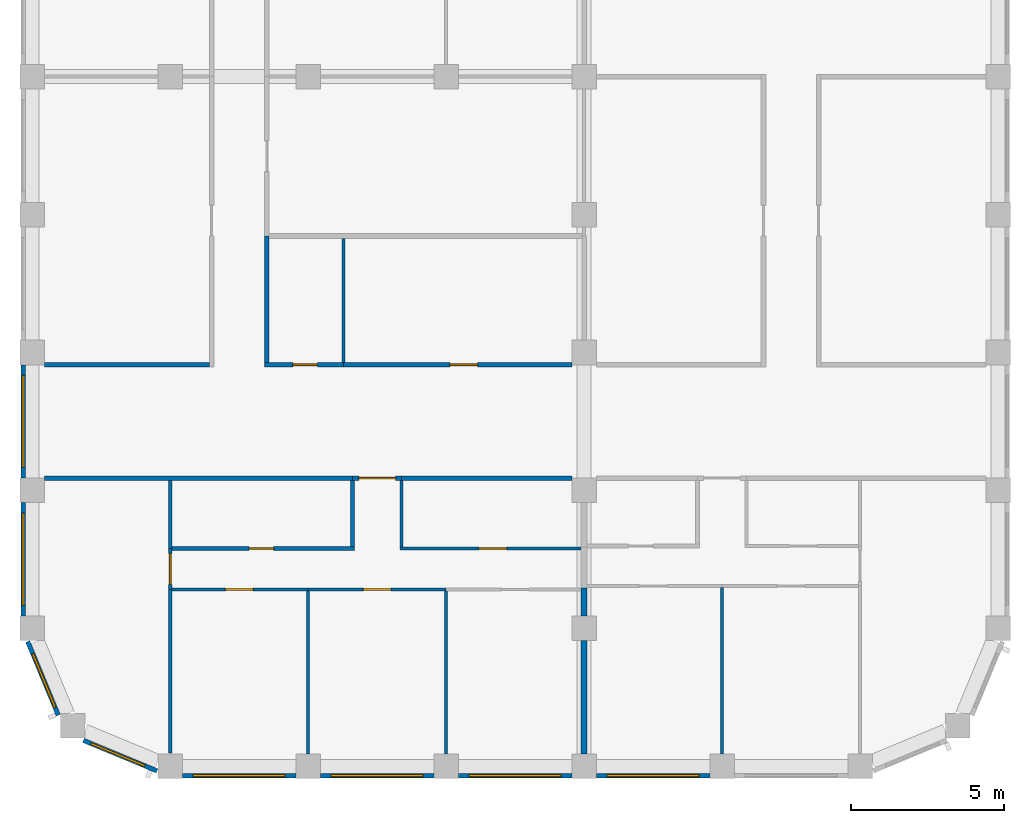
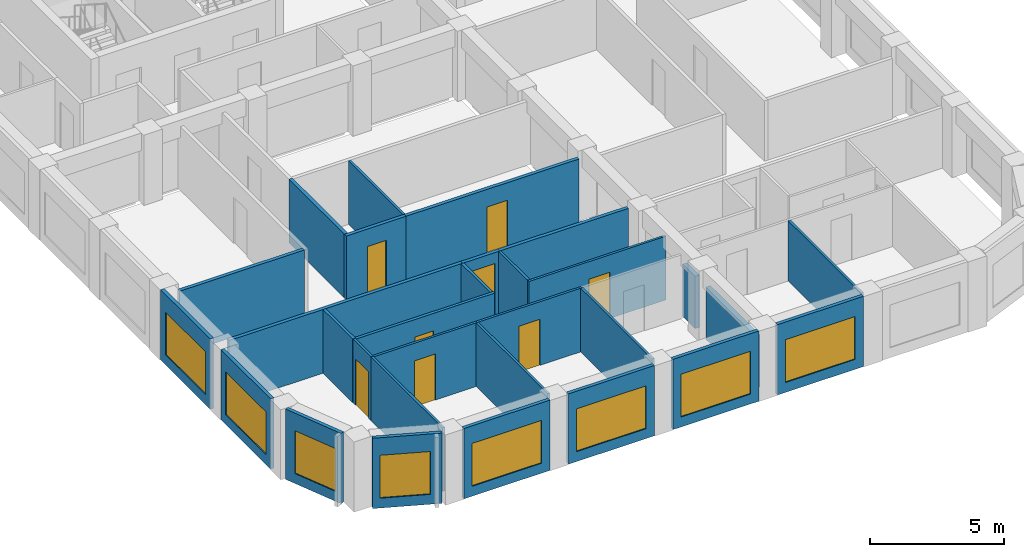
# One storey, part 2 of 9: 30 walls, 8 doors, 8 windows, 16 openings.
"""IFC4 building model written with IfcOpenShell, lengths in metres."""

from ifc_helpers import new_model, si_unit, direction, frame, frame_2d, origin, place, context, subcontext, project, spatial, rectangle, extrude, material, layer, layer_set, type_object, element, fill, save


model = new_model("IFC4")

# Units and contexts
model_context = context("Model", 3, precision=1e-05, world=origin(), true_north=direction((0.0, 1.0)))
body_context = subcontext(model_context, "Body", "Model", "MODEL_VIEW")
ifc_project = project(units=[si_unit("LENGTHUNIT", "METRE"), si_unit("AREAUNIT", "SQUARE_METRE"), si_unit("VOLUMEUNIT", "CUBIC_METRE"), si_unit("PLANEANGLEUNIT", "RADIAN"), si_unit("MASSUNIT", "GRAM", prefix="KILO")], contexts=[model_context])

# Site, building, storey
site_placement = place(None, origin())
site = spatial("IfcSite", under=ifc_project, at=site_placement, CompositionType="ELEMENT")
building_placement = place(site_placement, origin())
building = spatial("IfcBuilding", under=site, at=building_placement, Name="Girih Gate Residences", CompositionType="ELEMENT")
storey_placement = place(building_placement, frame((0.0, 0.0, 226.094970703125)))
storey = spatial("IfcBuildingStorey", under=building, at=storey_placement, Name="L63", CompositionType="ELEMENT", Elevation=226.094970703125)

# Wall, opening, door
ifc_material_1 = material(Name="Gypsum board on steel studs", Category="steel")
ifc_layer_1 = layer(ifc_material_1, 0.14990234375)
ifc_layer_set_1 = layer_set([ifc_layer_1], Name="Compartment wall 150 mm")
wall_type_1 = type_object("IfcWallType", Name="Compartment wall 150 mm", PredefinedType="PARTITIONING", material=ifc_layer_set_1)
wall_1_placement = place(storey_placement, frame((12.050048828125, 9.39990234375, 0.0), z_axis=(0.0, 0.0, 1.0), x_axis=(-1.0, 0.0, 0.0)))
wall_1 = element("IfcWall", 1, at=wall_1_placement, inside=storey, type_object=wall_type_1, Name="L63 partition", PredefinedType="PARTITIONING", context=body_context, shape_type="SweptSolid", body=[
    extrude(rectangle(XDim=1.60009765625, YDim=0.14990234375, at=frame_2d((0.800048828125, 0.0))), origin(), (0.0, 0.0, 1.0), 2.900146484375),
])
opening_1_placement = place(wall_1_placement, frame((0.199951171875, 0.0, 0.0)))
opening_1 = element("IfcOpeningElement", 2, at=opening_1_placement, cuts=wall_1, Name="Opening A63-007", PredefinedType="OPENING", context=body_context, shape_type="SweptSolid", body=[
    extrude(rectangle(XDim=1.199951171875, YDim=2.39990234375, at=frame_2d((0.60009765625, 1.199951171875))), frame((0.0, 0.0849609375, 0.0), z_axis=(0.0, -1.0, 0.0), x_axis=(1.0, 0.0, 0.0)), (0.0, 0.0, 1.0), 0.169921875),
])
ifc_material_2 = material(Name="Timber, fire-rated core", Category="wood")
door_type_1 = type_object("IfcDoorType", Name="Villa entrance door 1200x2400 FD30S", OperationType="NOTDEFINED", PredefinedType="DOOR", material=ifc_material_2)
door_1_placement = place(opening_1_placement, origin())
door_1 = element("IfcDoor", 3, at=door_1_placement, inside=storey, type_object=door_type_1, Name="Door A63-007", OperationType="SINGLE_SWING_LEFT", OverallHeight=2.39990234375, OverallWidth=1.199951171875, PredefinedType="DOOR", context=body_context, shape_type="SweptSolid", body=[
    extrude(rectangle(XDim=1.199951171875, YDim=2.39990234375, at=frame_2d((0.60009765625, 1.199951171875))), frame((0.0, 0.02490234375, 0.0), z_axis=(0.0, -1.0, 0.0), x_axis=(1.0, 0.0, 0.0)), (0.0, 0.0, 1.0), 0.050048828125),
])
fill(opening_1, door_1)

# Walls
wall_2_placement = place(storey_placement, frame((12.050048828125, 9.39990234375, 0.0), z_axis=(0.0, 0.0, 1.0), x_axis=(1.0, 0.0, 0.0)))
element("IfcWall", 4, at=wall_2_placement, inside=storey, type_object=wall_type_1, Name="L63 partition", PredefinedType="PARTITIONING", context=body_context, shape_type="SweptSolid", body=[
    extrude(rectangle(XDim=5.550048828125, YDim=0.14990234375, at=frame_2d((2.77490234375, 0.0))), origin(), (0.0, 0.0, 1.0), 2.900146484375),
])
wall_3_placement = place(storey_placement, frame((0.39990234375, 9.39990234375, 0.0), z_axis=(0.0, 0.0, 1.0), x_axis=(1.0, 0.0, 0.0)))
element("IfcWall", 5, at=wall_3_placement, inside=storey, type_object=wall_type_1, Name="L63 partition", PredefinedType="PARTITIONING", context=body_context, shape_type="SweptSolid", body=[
    extrude(rectangle(XDim=10.050048828125, YDim=0.14990234375, at=frame_2d((5.02490234375, 0.0))), origin(), (0.0, 0.0, 1.0), 2.900146484375),
])

# Wall, opening, door
wall_4_placement = place(storey_placement, frame((10.14990234375, 13.10009765625, 0.0), z_axis=(0.0, 0.0, 1.0), x_axis=(1.0, 0.0, 0.0)))
wall_4 = element("IfcWall", 6, at=wall_4_placement, inside=storey, type_object=wall_type_1, Name="L63 partition", PredefinedType="PARTITIONING", context=body_context, shape_type="SweptSolid", body=[
    extrude(rectangle(XDim=7.4501953125, YDim=0.14990234375, at=frame_2d((3.72509765625, 0.0))), origin(), (0.0, 0.0, 1.0), 2.900146484375),
])
opening_2_placement = place(wall_4_placement, frame((3.47509765625, 0.0, 0.0)))
opening_2 = element("IfcOpeningElement", 7, at=opening_2_placement, cuts=wall_4, Name="Opening A63-029", PredefinedType="OPENING", context=body_context, shape_type="SweptSolid", body=[
    extrude(rectangle(XDim=0.89990234375, YDim=2.10009765625, at=frame_2d((0.449951171875, 1.050048828125))), frame((0.0, 0.0849609375, 0.0), z_axis=(0.0, -1.0, 0.0), x_axis=(1.0, 0.0, 0.0)), (0.0, 0.0, 1.0), 0.169921875),
])
ifc_material_3 = material(Name="Timber", Category="wood")
door_type_2 = type_object("IfcDoorType", Name="Service room door 900x2100", OperationType="NOTDEFINED", PredefinedType="DOOR", material=ifc_material_3)
door_2_placement = place(opening_2_placement, origin())
door_2 = element("IfcDoor", 8, at=door_2_placement, inside=storey, type_object=door_type_2, Name="Door A63-029", OperationType="SINGLE_SWING_RIGHT", OverallHeight=2.10009765625, OverallWidth=0.89990234375, PredefinedType="DOOR", context=body_context, shape_type="SweptSolid", body=[
    extrude(rectangle(XDim=0.89990234375, YDim=2.10009765625, at=frame_2d((0.449951171875, 1.050048828125))), frame((0.0, 0.02490234375, 0.0), z_axis=(0.0, -1.0, 0.0), x_axis=(1.0, 0.0, 0.0)), (0.0, 0.0, 1.0), 0.050048828125),
])
fill(opening_2, door_2)

wall_5_placement = place(storey_placement, frame((7.574951171875, 13.10009765625, 0.0), z_axis=(0.0, 0.0, 1.0), x_axis=(1.0, 0.0, 0.0)))
wall_5 = element("IfcWall", 9, at=wall_5_placement, inside=storey, type_object=wall_type_1, Name="L63 partition", PredefinedType="PARTITIONING", context=body_context, shape_type="SweptSolid", body=[
    extrude(rectangle(XDim=2.574951171875, YDim=0.14990234375, at=frame_2d((1.28759765625, 0.0))), origin(), (0.0, 0.0, 1.0), 2.900146484375),
])
opening_3_placement = place(wall_5_placement, frame((0.925048828125, 0.0, 0.0)))
opening_3 = element("IfcOpeningElement", 10, at=opening_3_placement, cuts=wall_5, Name="Opening A63-030", PredefinedType="OPENING", context=body_context, shape_type="SweptSolid", body=[
    extrude(rectangle(XDim=0.800048828125, YDim=2.10009765625, at=frame_2d((0.39990234375, 1.050048828125))), frame((0.0, 0.0849609375, 0.0), z_axis=(0.0, -1.0, 0.0), x_axis=(1.0, 0.0, 0.0)), (0.0, 0.0, 1.0), 0.169921875),
])
door_type_3 = type_object("IfcDoorType", Name="Bathroom door 800x2100", OperationType="NOTDEFINED", PredefinedType="DOOR", material=ifc_material_3)
door_3_placement = place(opening_3_placement, origin())
door_3 = element("IfcDoor", 11, at=door_3_placement, inside=storey, type_object=door_type_3, Name="Door A63-030", OperationType="SINGLE_SWING_RIGHT", OverallHeight=2.10009765625, OverallWidth=0.800048828125, PredefinedType="DOOR", context=body_context, shape_type="SweptSolid", body=[
    extrude(rectangle(XDim=0.800048828125, YDim=2.10009765625, at=frame_2d((0.39990234375, 1.050048828125))), frame((0.0, 0.02490234375, 0.0), z_axis=(0.0, -1.0, 0.0), x_axis=(1.0, 0.0, 0.0)), (0.0, 0.0, 1.0), 0.050048828125),
])
fill(opening_3, door_3)

# Walls
wall_6_placement = place(storey_placement, frame((0.39990234375, 13.10009765625, 0.0), z_axis=(0.0, 0.0, 1.0), x_axis=(1.0, 0.0, 0.0)))
element("IfcWall", 12, at=wall_6_placement, inside=storey, type_object=wall_type_1, Name="L63 partition", PredefinedType="PARTITIONING", context=body_context, shape_type="SweptSolid", body=[
    extrude(rectangle(XDim=5.375, YDim=0.14990234375, at=frame_2d((2.6875, 0.0))), origin(), (0.0, 0.0, 1.0), 2.900146484375),
])
wall_7_placement = place(storey_placement, frame((7.64990234375, 13.175048828125, 0.0), z_axis=(0.0, 0.0, 1.0), x_axis=(0.0, 1.0, 0.0)))
element("IfcWall", 13, at=wall_7_placement, inside=storey, type_object=wall_type_1, Name="L63 partition", PredefinedType="PARTITIONING", context=body_context, shape_type="SweptSolid", body=[
    extrude(rectangle(XDim=4.125, YDim=0.14990234375, at=frame_2d((2.0625, 0.0))), origin(), (0.0, 0.0, 1.0), 2.900146484375),
])
ifc_layer_2 = layer(ifc_material_1, 0.10009765625)
ifc_layer_set_2 = layer_set([ifc_layer_2], Name="Partition 100 mm")
wall_type_2 = type_object("IfcWallType", Name="Partition 100 mm", PredefinedType="PARTITIONING", material=ifc_layer_set_2)
wall_8_placement = place(storey_placement, frame((9.0, 0.39990234375, 0.0), z_axis=(0.0, 0.0, 1.0), x_axis=(0.0, 1.0, 0.0)))
element("IfcWall", 14, at=wall_8_placement, inside=storey, type_object=wall_type_2, Name="L63 partition", PredefinedType="PARTITIONING", context=body_context, shape_type="SweptSolid", body=[
    extrude(rectangle(XDim=5.320068359375, YDim=0.10009765625, at=frame_2d((2.66015625, 0.0))), origin(), (0.0, 0.0, 1.0), 2.900146484375),
])

# Wall, opening, door
wall_9_placement = place(storey_placement, frame((9.0, 5.77001953125, 0.0), z_axis=(0.0, 0.0, 1.0), x_axis=(-1.0, 0.0, 0.0)))
wall_9 = element("IfcWall", 15, at=wall_9_placement, inside=storey, type_object=wall_type_2, Name="L63 partition", PredefinedType="PARTITIONING", context=body_context, shape_type="SweptSolid", body=[
    extrude(rectangle(XDim=4.449951171875, YDim=0.10009765625, at=frame_2d((2.22509765625, 0.0))), origin(), (0.0, 0.0, 1.0), 2.900146484375),
])
opening_4_placement = place(wall_9_placement, frame((1.800048828125, 0.0, 0.0)))
opening_4 = element("IfcOpeningElement", 16, at=opening_4_placement, cuts=wall_9, Name="Opening A63-002", PredefinedType="OPENING", context=body_context, shape_type="SweptSolid", body=[
    extrude(rectangle(XDim=0.89990234375, YDim=2.10009765625, at=frame_2d((0.449951171875, 1.050048828125))), frame((0.0, 0.06005859375, 0.0), z_axis=(0.0, -1.0, 0.0), x_axis=(1.0, 0.0, 0.0)), (0.0, 0.0, 1.0), 0.1201171875),
])
door_type_4 = type_object("IfcDoorType", Name="Bedroom door 900x2100", OperationType="NOTDEFINED", PredefinedType="DOOR", material=ifc_material_3)
door_4_placement = place(opening_4_placement, origin())
door_4 = element("IfcDoor", 17, at=door_4_placement, inside=storey, type_object=door_type_4, Name="Door A63-002", OperationType="SINGLE_SWING_RIGHT", OverallHeight=2.10009765625, OverallWidth=0.89990234375, PredefinedType="DOOR", context=body_context, shape_type="SweptSolid", body=[
    extrude(rectangle(XDim=0.89990234375, YDim=2.10009765625, at=frame_2d((0.449951171875, 1.050048828125))), frame((0.0, 0.02490234375, 0.0), z_axis=(0.0, -1.0, 0.0), x_axis=(1.0, 0.0, 0.0)), (0.0, 0.0, 1.0), 0.050048828125),
])
fill(opening_4, door_4)

# Walls
wall_10_placement = place(storey_placement, frame((4.5, 0.432861328125, 0.0), z_axis=(0.0, 0.0, 1.0), x_axis=(0.0, 1.0, 0.0)))
element("IfcWall", 18, at=wall_10_placement, inside=storey, type_object=wall_type_2, Name="L63 partition", PredefinedType="PARTITIONING", context=body_context, shape_type="SweptSolid", body=[
    extrude(rectangle(XDim=5.337158203125, YDim=0.10009765625, at=frame_2d((2.66845703125, 0.0))), origin(), (0.0, 0.0, 1.0), 2.900146484375),
])
wall_11_placement = place(storey_placement, frame((13.5, 0.39990234375, 0.0), z_axis=(0.0, 0.0, 1.0), x_axis=(0.0, 1.0, 0.0)))
element("IfcWall", 19, at=wall_11_placement, inside=storey, type_object=wall_type_2, Name="L63 partition", PredefinedType="PARTITIONING", context=body_context, shape_type="SweptSolid", body=[
    extrude(rectangle(XDim=5.320068359375, YDim=0.10009765625, at=frame_2d((2.66015625, 0.0))), origin(), (0.0, 0.0, 1.0), 2.900146484375),
])

# Wall, opening, door
wall_12_placement = place(storey_placement, frame((13.5, 5.77001953125, 0.0), z_axis=(0.0, 0.0, 1.0), x_axis=(-1.0, 0.0, 0.0)))
wall_12 = element("IfcWall", 20, at=wall_12_placement, inside=storey, type_object=wall_type_2, Name="L63 partition", PredefinedType="PARTITIONING", context=body_context, shape_type="SweptSolid", body=[
    extrude(rectangle(XDim=4.5, YDim=0.10009765625, at=frame_2d((2.25, 0.0))), origin(), (0.0, 0.0, 1.0), 2.900146484375),
])
opening_5_placement = place(wall_12_placement, frame((1.800048828125, 0.0, 0.0)))
opening_5 = element("IfcOpeningElement", 21, at=opening_5_placement, cuts=wall_12, Name="Opening A63-003", PredefinedType="OPENING", context=body_context, shape_type="SweptSolid", body=[
    extrude(rectangle(XDim=0.89990234375, YDim=2.10009765625, at=frame_2d((0.449951171875, 1.050048828125))), frame((0.0, 0.06005859375, 0.0), z_axis=(0.0, -1.0, 0.0), x_axis=(1.0, 0.0, 0.0)), (0.0, 0.0, 1.0), 0.1201171875),
])
door_5_placement = place(opening_5_placement, origin())
door_5 = element("IfcDoor", 22, at=door_5_placement, inside=storey, type_object=door_type_4, Name="Door A63-003", OperationType="SINGLE_SWING_LEFT", OverallHeight=2.10009765625, OverallWidth=0.89990234375, PredefinedType="DOOR", context=body_context, shape_type="SweptSolid", body=[
    extrude(rectangle(XDim=0.89990234375, YDim=2.10009765625, at=frame_2d((0.449951171875, 1.050048828125))), frame((0.0, 0.02490234375, 0.0), z_axis=(0.0, -1.0, 0.0), x_axis=(1.0, 0.0, 0.0)), (0.0, 0.0, 1.0), 0.050048828125),
])
fill(opening_5, door_5)

# Wall
wall_13_placement = place(storey_placement, frame((12.050048828125, 7.159912109375, 0.0), z_axis=(0.0, 0.0, 1.0), x_axis=(0.0, 1.0, 0.0)))
element("IfcWall", 23, at=wall_13_placement, inside=storey, type_object=wall_type_2, Name="L63 partition", PredefinedType="PARTITIONING", context=body_context, shape_type="SweptSolid", body=[
    extrude(rectangle(XDim=2.1650390625, YDim=0.10009765625, at=frame_2d((1.08251953125, 0.0))), origin(), (0.0, 0.0, 1.0), 2.900146484375),
])

# Wall, opening, door
wall_14_placement = place(storey_placement, frame((12.0, 7.110107421875, 0.0), z_axis=(0.0, 0.0, 1.0), x_axis=(1.0, 0.0, 0.0)))
wall_14 = element("IfcWall", 24, at=wall_14_placement, inside=storey, type_object=wall_type_2, Name="L63 partition", PredefinedType="PARTITIONING", context=body_context, shape_type="SweptSolid", body=[
    extrude(rectangle(XDim=5.89990234375, YDim=0.10009765625, at=frame_2d((2.949951171875, 0.0))), origin(), (0.0, 0.0, 1.0), 2.900146484375),
])
opening_6_placement = place(wall_14_placement, frame((2.574951171875, 0.0, 0.0)))
opening_6 = element("IfcOpeningElement", 25, at=opening_6_placement, cuts=wall_14, Name="Opening A63-005", PredefinedType="OPENING", context=body_context, shape_type="SweptSolid", body=[
    extrude(rectangle(XDim=0.89990234375, YDim=2.10009765625, at=frame_2d((0.449951171875, 1.050048828125))), frame((0.0, 0.06005859375, 0.0), z_axis=(0.0, -1.0, 0.0), x_axis=(1.0, 0.0, 0.0)), (0.0, 0.0, 1.0), 0.1201171875),
])
door_type_5 = type_object("IfcDoorType", Name="Kitchen door 900x2100", OperationType="NOTDEFINED", PredefinedType="DOOR", material=ifc_material_3)
door_6_placement = place(opening_6_placement, origin())
door_6 = element("IfcDoor", 26, at=door_6_placement, inside=storey, type_object=door_type_5, Name="Door A63-005", OperationType="SINGLE_SWING_RIGHT", OverallHeight=2.10009765625, OverallWidth=0.89990234375, PredefinedType="DOOR", context=body_context, shape_type="SweptSolid", body=[
    extrude(rectangle(XDim=0.89990234375, YDim=2.10009765625, at=frame_2d((0.449951171875, 1.050048828125))), frame((0.0, 0.02490234375, 0.0), z_axis=(0.0, -1.0, 0.0), x_axis=(1.0, 0.0, 0.0)), (0.0, 0.0, 1.0), 0.050048828125),
])
fill(opening_6, door_6)

wall_15_placement = place(storey_placement, frame((4.5, 5.77001953125, 0.0), z_axis=(0.0, 0.0, 1.0), x_axis=(0.0, 1.0, 0.0)))
wall_15 = element("IfcWall", 27, at=wall_15_placement, inside=storey, type_object=wall_type_2, Name="L63 partition", PredefinedType="PARTITIONING", context=body_context, shape_type="SweptSolid", body=[
    extrude(rectangle(XDim=1.340087890625, YDim=0.10009765625, at=frame_2d((0.669921875, 0.0))), origin(), (0.0, 0.0, 1.0), 2.900146484375),
])
opening_7_placement = place(wall_15_placement, frame((0.169921875, 0.0, 0.0)))
opening_7 = element("IfcOpeningElement", 28, at=opening_7_placement, cuts=wall_15, Name="Opening A63-006", PredefinedType="OPENING", context=body_context, shape_type="SweptSolid", body=[
    extrude(rectangle(XDim=1.0, YDim=2.10009765625, at=frame_2d((0.5, 1.050048828125))), frame((0.0, 0.06005859375, 0.0), z_axis=(0.0, -1.0, 0.0), x_axis=(1.0, 0.0, 0.0)), (0.0, 0.0, 1.0), 0.1201171875),
])
door_type_6 = type_object("IfcDoorType", Name="Living room door 1000x2100", OperationType="NOTDEFINED", PredefinedType="DOOR", material=ifc_material_3)
door_7_placement = place(opening_7_placement, origin())
door_7 = element("IfcDoor", 29, at=door_7_placement, inside=storey, type_object=door_type_6, Name="Door A63-006", OperationType="SINGLE_SWING_RIGHT", OverallHeight=2.10009765625, OverallWidth=1.0, PredefinedType="DOOR", context=body_context, shape_type="SweptSolid", body=[
    extrude(rectangle(XDim=1.0, YDim=2.10009765625, at=frame_2d((0.5, 1.050048828125))), frame((0.0, 0.02490234375, 0.0), z_axis=(0.0, -1.0, 0.0), x_axis=(1.0, 0.0, 0.0)), (0.0, 0.0, 1.0), 0.050048828125),
])
fill(opening_7, door_7)

# Walls
wall_16_placement = place(storey_placement, frame((22.5, 0.39990234375, 0.0), z_axis=(0.0, 0.0, 1.0), x_axis=(0.0, 1.0, 0.0)))
element("IfcWall", 30, at=wall_16_placement, inside=storey, type_object=wall_type_2, Name="L63 partition", PredefinedType="PARTITIONING", context=body_context, shape_type="SweptSolid", body=[
    extrude(rectangle(XDim=5.440185546875, YDim=0.10009765625, at=frame_2d((2.72021484375, 0.0))), origin(), (0.0, 0.0, 1.0), 2.75),
])
wall_17_placement = place(storey_placement, frame((10.14990234375, 13.175048828125, 0.0), z_axis=(0.0, 0.0, 1.0), x_axis=(0.0, 1.0, 0.0)))
element("IfcWall", 31, at=wall_17_placement, inside=storey, type_object=wall_type_2, Name="L63 partition", PredefinedType="PARTITIONING", context=body_context, shape_type="SweptSolid", body=[
    extrude(rectangle(XDim=4.050048828125, YDim=0.10009765625, at=frame_2d((2.02490234375, 0.0))), origin(), (0.0, 0.0, 1.0), 2.900146484375),
])
ifc_layer_3 = layer(ifc_material_1, 0.199951171875)
ifc_layer_set_3 = layer_set([ifc_layer_3], Name="Party wall 200 mm")
wall_type_3 = type_object("IfcWallType", Name="Party wall 200 mm", PredefinedType="PARTITIONING", material=ifc_layer_set_3)
wall_18_placement = place(storey_placement, frame((18.0, 4.89990234375, 0.0), z_axis=(0.0, 0.0, 1.0), x_axis=(0.0, 1.0, 0.0)))
element("IfcWall", 32, at=wall_18_placement, inside=storey, type_object=wall_type_3, Name="L63 partition", PredefinedType="PARTITIONING", context=body_context, shape_type="SweptSolid", body=[
    extrude(rectangle(XDim=0.920166015625, YDim=0.199951171875, at=frame_2d((0.4599609375, 0.0))), origin(), (0.0, 0.0, 1.0), 2.380126953125),
])
wall_19_placement = place(storey_placement, frame((18.0, 0.39990234375, 0.0), z_axis=(0.0, 0.0, 1.0), x_axis=(0.0, 1.0, 0.0)))
element("IfcWall", 33, at=wall_19_placement, inside=storey, type_object=wall_type_3, Name="L63 partition", PredefinedType="PARTITIONING", context=body_context, shape_type="SweptSolid", body=[
    extrude(rectangle(XDim=3.7001953125, YDim=0.199951171875, at=frame_2d((1.85009765625, 0.0))), origin(), (0.0, 0.0, 1.0), 2.380126953125),
])

# Wall, opening, window
ifc_material_4 = material(Name="Precast concrete C50/60", Category="concrete")
ifc_layer_4 = layer(ifc_material_4, 0.050048828125, Name="Outer leaf")
ifc_material_5 = material(Name="Rigid PIR insulation")
ifc_layer_5 = layer(ifc_material_5, 0.06005859375, Name="Insulation")
ifc_material_6 = material(Name="Precast concrete C40/50", Category="concrete")
ifc_layer_6 = layer(ifc_material_6, 0.0400390625, Name="Inner leaf")
ifc_layer_set_4 = layer_set([ifc_layer_4, ifc_layer_5, ifc_layer_6], Name="Precast concrete C50/60 external wall 150")
wall_type_4 = type_object("IfcWallType", Name="Precast concrete C50/60 external wall 150", PredefinedType="SOLIDWALL", material=ifc_layer_set_4)
wall_20_placement = place(storey_placement, frame((-0.300048828125, 9.39990234375, 0.0), z_axis=(0.0, 0.0, 1.0), x_axis=(0.0, 1.0, 0.0)))
wall_20 = element("IfcWall", 34, at=wall_20_placement, inside=storey, type_object=wall_type_4, Name="External wall W0000_0450.7", PredefinedType="SOLIDWALL", context=body_context, shape_type="SweptSolid", body=[
    extrude(rectangle(XDim=3.7001953125, YDim=0.14990234375, at=frame_2d((1.85009765625, 0.0))), origin(), (0.0, 0.0, 1.0), 3.199951171875),
])
opening_8_placement = place(wall_20_placement, frame((0.35009765625, 0.0, 0.449951171875)))
opening_8 = element("IfcOpeningElement", 35, at=opening_8_placement, cuts=wall_20, Name="Opening W-1D", PredefinedType="OPENING", context=body_context, shape_type="SweptSolid", body=[
    extrude(rectangle(XDim=3.0, YDim=1.949951171875, at=frame_2d((1.5, 0.97509765625))), frame((0.0, 0.0849609375, 0.0), z_axis=(0.0, -1.0, 0.0), x_axis=(1.0, 0.0, 0.0)), (0.0, 0.0, 1.0), 0.169921875),
])
ifc_material_7 = material(Name="Double glazing in aluminium frame", Category="aluminium")
window_type_1 = type_object("IfcWindowType", Name="Window W-1D 3000x1950", PartitioningType="SINGLE_PANEL", PredefinedType="WINDOW", material=ifc_material_7)
window_1_placement = place(opening_8_placement, origin())
window_1 = element("IfcWindow", 36, at=window_1_placement, inside=storey, type_object=window_type_1, Name="Window W-1D W0000_0450.7", OverallHeight=1.949951171875, OverallWidth=3.0, PartitioningType="SINGLE_PANEL", PredefinedType="WINDOW", context=body_context, shape_type="SweptSolid", body=[
    extrude(rectangle(XDim=3.0, YDim=1.949951171875, at=frame_2d((1.5, 0.97509765625))), frame((0.0, 0.030029296875, 0.0), z_axis=(0.0, -1.0, 0.0), x_axis=(1.0, 0.0, 0.0)), (0.0, 0.0, 1.0), 0.06005859375),
])
fill(opening_8, window_1)

wall_21_placement = place(storey_placement, frame((-0.300048828125, 4.89990234375, 0.0), z_axis=(0.0, 0.0, 1.0), x_axis=(0.0, 1.0, 0.0)))
wall_21 = element("IfcWall", 37, at=wall_21_placement, inside=storey, type_object=wall_type_4, Name="External wall W0000_0450.8", PredefinedType="SOLIDWALL", context=body_context, shape_type="SweptSolid", body=[
    extrude(rectangle(XDim=3.7001953125, YDim=0.14990234375, at=frame_2d((1.85009765625, 0.0))), origin(), (0.0, 0.0, 1.0), 3.199951171875),
])
opening_9_placement = place(wall_21_placement, frame((0.35009765625, 0.0, 0.449951171875)))
opening_9 = element("IfcOpeningElement", 38, at=opening_9_placement, cuts=wall_21, Name="Opening W-1D", PredefinedType="OPENING", context=body_context, shape_type="SweptSolid", body=[
    extrude(rectangle(XDim=3.0, YDim=1.949951171875, at=frame_2d((1.5, 0.97509765625))), frame((0.0, 0.0849609375, 0.0), z_axis=(0.0, -1.0, 0.0), x_axis=(1.0, 0.0, 0.0)), (0.0, 0.0, 1.0), 0.169921875),
])
window_2_placement = place(opening_9_placement, origin())
window_2 = element("IfcWindow", 39, at=window_2_placement, inside=storey, type_object=window_type_1, Name="Window W-1D W0000_0450.8", OverallHeight=1.949951171875, OverallWidth=3.0, PartitioningType="SINGLE_PANEL", PredefinedType="WINDOW", context=body_context, shape_type="SweptSolid", body=[
    extrude(rectangle(XDim=3.0, YDim=1.949951171875, at=frame_2d((1.5, 0.97509765625))), frame((0.0, 0.030029296875, 0.0), z_axis=(0.0, -1.0, 0.0), x_axis=(1.0, 0.0, 0.0)), (0.0, 0.0, 1.0), 0.06005859375),
])
fill(opening_9, window_2)

wall_22_placement = place(storey_placement, frame((0.8486328125, 1.6669921875, 0.0), z_axis=(0.0, 0.0, 1.0), x_axis=(-0.382669406082, 0.923885342263, 0.0)))
wall_22 = element("IfcWall", 40, at=wall_22_placement, inside=storey, type_object=wall_type_4, Name="External wall SW0000_0045.0", PredefinedType="SOLIDWALL", context=body_context, shape_type="SweptSolid", body=[
    extrude(rectangle(XDim=2.602294921875, YDim=0.14990234375, at=frame_2d((1.30126953125, 0.0))), origin(), (0.0, 0.0, 1.0), 3.199951171875),
])
opening_10_placement = place(wall_22_placement, frame((0.27001953125, 0.0, 0.449951171875)))
opening_10 = element("IfcOpeningElement", 41, at=opening_10_placement, cuts=wall_22, Name="Opening W-2G", PredefinedType="OPENING", context=body_context, shape_type="SweptSolid", body=[
    extrude(rectangle(XDim=1.89990234375, YDim=1.949951171875, at=frame_2d((0.949951171875, 0.97509765625))), frame((0.0, 0.0849609375, 0.0), z_axis=(0.0, -1.0, 0.0), x_axis=(1.0, 0.0, 0.0)), (0.0, 0.0, 1.0), 0.169921875),
])
window_type_2 = type_object("IfcWindowType", Name="Window W-2G 1900x1950", PartitioningType="SINGLE_PANEL", PredefinedType="WINDOW", material=ifc_material_7)
window_3_placement = place(opening_10_placement, origin())
window_3 = element("IfcWindow", 42, at=window_3_placement, inside=storey, type_object=window_type_2, Name="Window W-2G SW0000_0045.0", OverallHeight=1.949951171875, OverallWidth=1.89990234375, PartitioningType="SINGLE_PANEL", PredefinedType="WINDOW", context=body_context, shape_type="SweptSolid", body=[
    extrude(rectangle(XDim=1.89990234375, YDim=1.949951171875, at=frame_2d((0.949951171875, 0.97509765625))), frame((0.0, 0.030029296875, 0.0), z_axis=(0.0, -1.0, 0.0), x_axis=(1.0, 0.0, 0.0)), (0.0, 0.0, 1.0), 0.06005859375),
])
fill(opening_10, window_3)

wall_23_placement = place(storey_placement, frame((4.0712890625, -0.147216796875, 0.0), z_axis=(0.0, 0.0, 1.0), x_axis=(-0.923885342263, 0.382669406082, 0.0)))
wall_23 = element("IfcWall", 43, at=wall_23_placement, inside=storey, type_object=wall_type_4, Name="External wall SW0013_0013.0", PredefinedType="SOLIDWALL", context=body_context, shape_type="SweptSolid", body=[
    extrude(rectangle(XDim=2.602294921875, YDim=0.14990234375, at=frame_2d((1.30126953125, 0.0))), origin(), (0.0, 0.0, 1.0), 3.199951171875),
])
opening_11_placement = place(wall_23_placement, frame((0.432373046875, 0.0, 0.449951171875)))
opening_11 = element("IfcOpeningElement", 44, at=opening_11_placement, cuts=wall_23, Name="Opening W-2G", PredefinedType="OPENING", context=body_context, shape_type="SweptSolid", body=[
    extrude(rectangle(XDim=1.89990234375, YDim=1.949951171875, at=frame_2d((0.949951171875, 0.97509765625))), frame((0.0, 0.0849609375, 0.0), z_axis=(0.0, -1.0, 0.0), x_axis=(1.0, 0.0, 0.0)), (0.0, 0.0, 1.0), 0.169921875),
])
window_4_placement = place(opening_11_placement, origin())
window_4 = element("IfcWindow", 45, at=window_4_placement, inside=storey, type_object=window_type_2, Name="Window W-2G SW0013_0013.0", OverallHeight=1.949951171875, OverallWidth=1.89990234375, PartitioningType="SINGLE_PANEL", PredefinedType="WINDOW", context=body_context, shape_type="SweptSolid", body=[
    extrude(rectangle(XDim=1.89990234375, YDim=1.949951171875, at=frame_2d((0.949951171875, 0.97509765625))), frame((0.0, 0.030029296875, 0.0), z_axis=(0.0, -1.0, 0.0), x_axis=(1.0, 0.0, 0.0)), (0.0, 0.0, 1.0), 0.06005859375),
])
fill(opening_11, window_4)

wall_24_placement = place(storey_placement, frame((8.60009765625, -0.300048828125, 0.0), z_axis=(0.0, 0.0, 1.0), x_axis=(-1.0, 0.0, 0.0)))
wall_24 = element("IfcWall", 46, at=wall_24_placement, inside=storey, type_object=wall_type_4, Name="External wall S0045_0000.0", PredefinedType="SOLIDWALL", context=body_context, shape_type="SweptSolid", body=[
    extrude(rectangle(XDim=3.7001953125, YDim=0.14990234375, at=frame_2d((1.85009765625, 0.0))), origin(), (0.0, 0.0, 1.0), 3.199951171875),
])
opening_12_placement = place(wall_24_placement, frame((0.35009765625, 0.0, 0.449951171875)))
opening_12 = element("IfcOpeningElement", 47, at=opening_12_placement, cuts=wall_24, Name="Opening W-1D", PredefinedType="OPENING", context=body_context, shape_type="SweptSolid", body=[
    extrude(rectangle(XDim=3.0, YDim=1.949951171875, at=frame_2d((1.5, 0.97509765625))), frame((0.0, 0.0849609375, 0.0), z_axis=(0.0, -1.0, 0.0), x_axis=(1.0, 0.0, 0.0)), (0.0, 0.0, 1.0), 0.169921875),
])
window_5_placement = place(opening_12_placement, origin())
window_5 = element("IfcWindow", 48, at=window_5_placement, inside=storey, type_object=window_type_1, Name="Window W-1D S0045_0000.0", OverallHeight=1.949951171875, OverallWidth=3.0, PartitioningType="SINGLE_PANEL", PredefinedType="WINDOW", context=body_context, shape_type="SweptSolid", body=[
    extrude(rectangle(XDim=3.0, YDim=1.949951171875, at=frame_2d((1.5, 0.97509765625))), frame((0.0, 0.030029296875, 0.0), z_axis=(0.0, -1.0, 0.0), x_axis=(1.0, 0.0, 0.0)), (0.0, 0.0, 1.0), 0.06005859375),
])
fill(opening_12, window_5)

wall_25_placement = place(storey_placement, frame((13.10009765625, -0.300048828125, 0.0), z_axis=(0.0, 0.0, 1.0), x_axis=(-1.0, 0.0, 0.0)))
wall_25 = element("IfcWall", 49, at=wall_25_placement, inside=storey, type_object=wall_type_4, Name="External wall S0045_0000.1", PredefinedType="SOLIDWALL", context=body_context, shape_type="SweptSolid", body=[
    extrude(rectangle(XDim=3.7001953125, YDim=0.14990234375, at=frame_2d((1.85009765625, 0.0))), origin(), (0.0, 0.0, 1.0), 3.199951171875),
])
opening_13_placement = place(wall_25_placement, frame((0.35009765625, 0.0, 0.449951171875)))
opening_13 = element("IfcOpeningElement", 50, at=opening_13_placement, cuts=wall_25, Name="Opening W-1D", PredefinedType="OPENING", context=body_context, shape_type="SweptSolid", body=[
    extrude(rectangle(XDim=3.0, YDim=1.949951171875, at=frame_2d((1.5, 0.97509765625))), frame((0.0, 0.0849609375, 0.0), z_axis=(0.0, -1.0, 0.0), x_axis=(1.0, 0.0, 0.0)), (0.0, 0.0, 1.0), 0.169921875),
])
window_6_placement = place(opening_13_placement, origin())
window_6 = element("IfcWindow", 51, at=window_6_placement, inside=storey, type_object=window_type_1, Name="Window W-1D S0045_0000.1", OverallHeight=1.949951171875, OverallWidth=3.0, PartitioningType="SINGLE_PANEL", PredefinedType="WINDOW", context=body_context, shape_type="SweptSolid", body=[
    extrude(rectangle(XDim=3.0, YDim=1.949951171875, at=frame_2d((1.5, 0.97509765625))), frame((0.0, 0.030029296875, 0.0), z_axis=(0.0, -1.0, 0.0), x_axis=(1.0, 0.0, 0.0)), (0.0, 0.0, 1.0), 0.06005859375),
])
fill(opening_13, window_6)

wall_26_placement = place(storey_placement, frame((17.60009765625, -0.300048828125, 0.0), z_axis=(0.0, 0.0, 1.0), x_axis=(-1.0, 0.0, 0.0)))
wall_26 = element("IfcWall", 52, at=wall_26_placement, inside=storey, type_object=wall_type_4, Name="External wall S0045_0000.2", PredefinedType="SOLIDWALL", context=body_context, shape_type="SweptSolid", body=[
    extrude(rectangle(XDim=3.7001953125, YDim=0.14990234375, at=frame_2d((1.85009765625, 0.0))), origin(), (0.0, 0.0, 1.0), 3.199951171875),
])
opening_14_placement = place(wall_26_placement, frame((0.35009765625, 0.0, 0.449951171875)))
opening_14 = element("IfcOpeningElement", 53, at=opening_14_placement, cuts=wall_26, Name="Opening W-1D", PredefinedType="OPENING", context=body_context, shape_type="SweptSolid", body=[
    extrude(rectangle(XDim=3.0, YDim=1.949951171875, at=frame_2d((1.5, 0.97509765625))), frame((0.0, 0.0849609375, 0.0), z_axis=(0.0, -1.0, 0.0), x_axis=(1.0, 0.0, 0.0)), (0.0, 0.0, 1.0), 0.169921875),
])
window_7_placement = place(opening_14_placement, origin())
window_7 = element("IfcWindow", 54, at=window_7_placement, inside=storey, type_object=window_type_1, Name="Window W-1D S0045_0000.2", OverallHeight=1.949951171875, OverallWidth=3.0, PartitioningType="SINGLE_PANEL", PredefinedType="WINDOW", context=body_context, shape_type="SweptSolid", body=[
    extrude(rectangle(XDim=3.0, YDim=1.949951171875, at=frame_2d((1.5, 0.97509765625))), frame((0.0, 0.030029296875, 0.0), z_axis=(0.0, -1.0, 0.0), x_axis=(1.0, 0.0, 0.0)), (0.0, 0.0, 1.0), 0.06005859375),
])
fill(opening_14, window_7)

wall_27_placement = place(storey_placement, frame((22.10009765625, -0.300048828125, 0.0), z_axis=(0.0, 0.0, 1.0), x_axis=(-1.0, 0.0, 0.0)))
wall_27 = element("IfcWall", 55, at=wall_27_placement, inside=storey, type_object=wall_type_4, Name="External wall S0045_0000.3", PredefinedType="SOLIDWALL", context=body_context, shape_type="SweptSolid", body=[
    extrude(rectangle(XDim=3.7001953125, YDim=0.14990234375, at=frame_2d((1.85009765625, 0.0))), origin(), (0.0, 0.0, 1.0), 3.199951171875),
])
opening_15_placement = place(wall_27_placement, frame((0.35009765625, 0.0, 0.449951171875)))
opening_15 = element("IfcOpeningElement", 56, at=opening_15_placement, cuts=wall_27, Name="Opening W-1D", PredefinedType="OPENING", context=body_context, shape_type="SweptSolid", body=[
    extrude(rectangle(XDim=3.0, YDim=1.949951171875, at=frame_2d((1.5, 0.97509765625))), frame((0.0, 0.0849609375, 0.0), z_axis=(0.0, -1.0, 0.0), x_axis=(1.0, 0.0, 0.0)), (0.0, 0.0, 1.0), 0.169921875),
])
window_8_placement = place(opening_15_placement, origin())
window_8 = element("IfcWindow", 57, at=window_8_placement, inside=storey, type_object=window_type_1, Name="Window W-1D S0045_0000.3", OverallHeight=1.949951171875, OverallWidth=3.0, PartitioningType="SINGLE_PANEL", PredefinedType="WINDOW", context=body_context, shape_type="SweptSolid", body=[
    extrude(rectangle(XDim=3.0, YDim=1.949951171875, at=frame_2d((1.5, 0.97509765625))), frame((0.0, 0.030029296875, 0.0), z_axis=(0.0, -1.0, 0.0), x_axis=(1.0, 0.0, 0.0)), (0.0, 0.0, 1.0), 0.06005859375),
])
fill(opening_15, window_8)

# Wall
ifc_layer_7 = layer(ifc_material_1, 0.125)
ifc_layer_set_5 = layer_set([ifc_layer_7], Name="Wet room wall 125 mm")
wall_type_5 = type_object("IfcWallType", Name="Wet room wall 125 mm", PredefinedType="PARTITIONING", material=ifc_layer_set_5)
wall_28_placement = place(storey_placement, frame((10.449951171875, 7.172607421875, 0.0), z_axis=(0.0, 0.0, 1.0), x_axis=(0.0, 1.0, 0.0)))
element("IfcWall", 58, at=wall_28_placement, inside=storey, type_object=wall_type_5, Name="L63 partition", PredefinedType="PARTITIONING", context=body_context, shape_type="SweptSolid", body=[
    extrude(rectangle(XDim=2.15234375, YDim=0.125, at=frame_2d((1.076171875, 0.0))), origin(), (0.0, 0.0, 1.0), 2.900146484375),
])

# Wall, opening, door
wall_29_placement = place(storey_placement, frame((4.5625, 7.110107421875, 0.0), z_axis=(0.0, 0.0, 1.0), x_axis=(1.0, 0.0, 0.0)))
wall_29 = element("IfcWall", 59, at=wall_29_placement, inside=storey, type_object=wall_type_5, Name="L63 partition", PredefinedType="PARTITIONING", context=body_context, shape_type="SweptSolid", body=[
    extrude(rectangle(XDim=5.949951171875, YDim=0.125, at=frame_2d((2.97509765625, 0.0))), origin(), (0.0, 0.0, 1.0), 2.900146484375),
])
opening_16_placement = place(wall_29_placement, frame((2.512451171875, 0.0, 0.0)))
opening_16 = element("IfcOpeningElement", 60, at=opening_16_placement, cuts=wall_29, Name="Opening A63-001", PredefinedType="OPENING", context=body_context, shape_type="SweptSolid", body=[
    extrude(rectangle(XDim=0.800048828125, YDim=2.10009765625, at=frame_2d((0.39990234375, 1.050048828125))), frame((0.0, 0.072509765625, 0.0), z_axis=(0.0, -1.0, 0.0), x_axis=(1.0, 0.0, 0.0)), (0.0, 0.0, 1.0), 0.14501953125),
])
door_8_placement = place(opening_16_placement, origin())
door_8 = element("IfcDoor", 61, at=door_8_placement, inside=storey, type_object=door_type_3, Name="Door A63-001", OperationType="SINGLE_SWING_LEFT", OverallHeight=2.10009765625, OverallWidth=0.800048828125, PredefinedType="DOOR", context=body_context, shape_type="SweptSolid", body=[
    extrude(rectangle(XDim=0.800048828125, YDim=2.10009765625, at=frame_2d((0.39990234375, 1.050048828125))), frame((0.0, 0.02490234375, 0.0), z_axis=(0.0, -1.0, 0.0), x_axis=(1.0, 0.0, 0.0)), (0.0, 0.0, 1.0), 0.050048828125),
])
fill(opening_16, door_8)

# Wall
wall_30_placement = place(storey_placement, frame((4.5, 7.110107421875, 0.0), z_axis=(0.0, 0.0, 1.0), x_axis=(0.0, 1.0, 0.0)))
element("IfcWall", 62, at=wall_30_placement, inside=storey, type_object=wall_type_5, Name="L63 partition", PredefinedType="PARTITIONING", context=body_context, shape_type="SweptSolid", body=[
    extrude(rectangle(XDim=2.21484375, YDim=0.125, at=frame_2d((1.107421875, 0.0))), origin(), (0.0, 0.0, 1.0), 2.900146484375),
])

save(model, "model.ifc")
